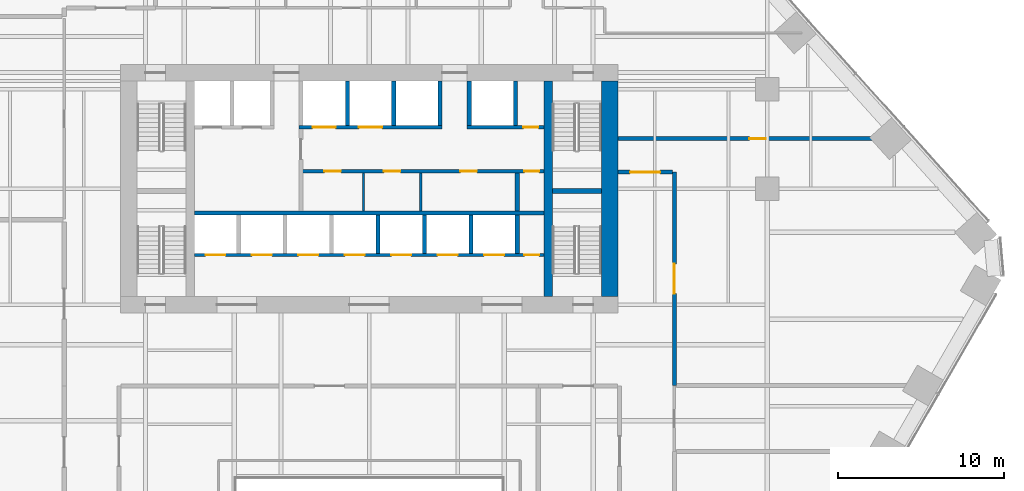
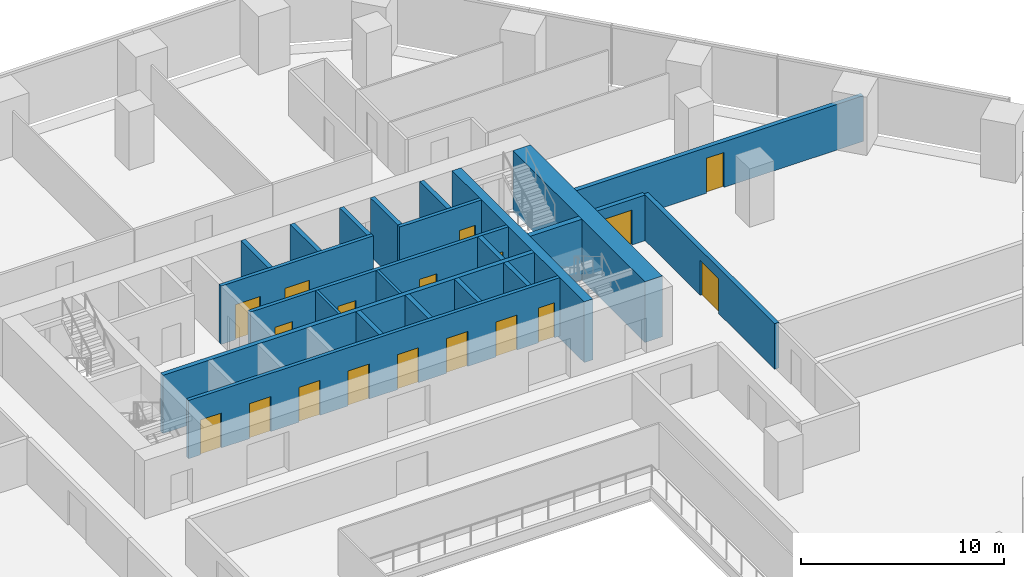
# One storey, part 15 of 20: 23 walls, 18 doors, 18 openings.
"""IFC4 building model written with IfcOpenShell, lengths in metres."""

from ifc_helpers import new_model, si_unit, direction, frame, frame_2d, origin, place, context, subcontext, project, spatial, rectangle, extrude, material, layer, layer_set, type_object, element, fill, save


model = new_model("IFC4")

# Units and contexts
model_context = context("Model", 3, precision=1e-05, world=origin(), true_north=direction((0.0, 1.0)))
body_context = subcontext(model_context, "Body", "Model", "MODEL_VIEW")
ifc_project = project(units=[si_unit("LENGTHUNIT", "METRE"), si_unit("AREAUNIT", "SQUARE_METRE"), si_unit("VOLUMEUNIT", "CUBIC_METRE"), si_unit("PLANEANGLEUNIT", "RADIAN"), si_unit("MASSUNIT", "GRAM", prefix="KILO")], contexts=[model_context])

# Site, building, storey
site_placement = place(None, origin())
site = spatial("IfcSite", under=ifc_project, at=site_placement, CompositionType="ELEMENT")
building_placement = place(site_placement, origin())
building = spatial("IfcBuilding", under=site, at=building_placement, Name="Isthmus Gate Tower", CompositionType="ELEMENT")
storey_placement = place(building_placement, frame((0.0, 0.0, 43.300048828125)))
storey = spatial("IfcBuildingStorey", under=building, at=storey_placement, Name="L08", CompositionType="ELEMENT", Elevation=43.300048828125)

# Wall, opening, door
ifc_material_1 = material(Name="Double-leaf acoustic stud wall, fire-rated", Category="gypsum")
ifc_layer_1 = layer(ifc_material_1, 0.25)
ifc_layer_set_1 = layer_set([ifc_layer_1], Name="ACOUSTIC WALL 250 60 MIN")
wall_type_1 = type_object("IfcWallType", Name="ACOUSTIC WALL 250 60 MIN", PredefinedType="PARTITIONING", material=ifc_layer_set_1)
wall_1_placement = place(storey_placement, frame((18.39990234375, 8.5, 0.0), z_axis=(0.0, 0.0, 1.0), x_axis=(0.0, -1.0, 0.0)))
wall_1 = element("IfcWall", 1, at=wall_1_placement, inside=storey, type_object=wall_type_1, Name="L08 Acoustic Wall 250 60 Min", PredefinedType="PARTITIONING", context=body_context, shape_type="SweptSolid", body=[
    extrude(rectangle(XDim=12.8720703125, YDim=0.25, at=frame_2d((6.43603515625, 0.0))), origin(), (0.0, 0.0, 1.0), 2.7412109375),
])
opening_1_placement = place(wall_1_placement, frame((5.535888671875, 0.0, 0.0)))
opening_1 = element("IfcOpeningElement", 2, at=opening_1_placement, cuts=wall_1, Name="Opening DT-T1A-09", PredefinedType="OPENING", context=body_context, shape_type="SweptSolid", body=[
    extrude(rectangle(XDim=1.800048828125, YDim=2.10009765625, at=frame_2d((0.89990234375, 1.050048828125))), frame((0.0, 0.135009765625, 0.0), z_axis=(0.0, -1.0, 0.0), x_axis=(1.0, 0.0, 0.0)), (0.0, 0.0, 1.0), 0.27001953125),
])
ifc_material_2 = material(Name="Solid core timber door leaf, fire-rated", Category="wood")
door_type_1 = type_object("IfcDoorType", Name="FIRE DOOR ACOUSTIC ROOM 1800 X 2100 60 MIN", OperationType="DOUBLE_DOOR_DOUBLE_SWING", PredefinedType="DOOR", material=ifc_material_2)
door_1_placement = place(opening_1_placement, origin())
door_1 = element("IfcDoor", 3, at=door_1_placement, inside=storey, type_object=door_type_1, Name="L08 room door", OperationType="DOUBLE_DOOR_DOUBLE_SWING", OverallHeight=2.10009765625, OverallWidth=1.800048828125, PredefinedType="DOOR", context=body_context, shape_type="SweptSolid", body=[
    extrude(rectangle(XDim=1.800048828125, YDim=2.10009765625, at=frame_2d((0.89990234375, 1.050048828125))), frame((0.0, 0.02490234375, 0.0), z_axis=(0.0, -1.0, 0.0), x_axis=(1.0, 0.0, 0.0)), (0.0, 0.0, 1.0), 0.050048828125),
])
fill(opening_1, door_1)

wall_2_placement = place(storey_placement, frame((15.0, 10.51708984375, 0.0), z_axis=(0.0, 0.0, 1.0), x_axis=(1.0, 0.0, 0.0)))
wall_2 = element("IfcWall", 4, at=wall_2_placement, inside=storey, type_object=wall_type_1, Name="L08 Acoustic Wall 250 60 Min", PredefinedType="PARTITIONING", context=body_context, shape_type="SweptSolid", body=[
    extrude(rectangle(XDim=16.842041015625, YDim=0.25, at=frame_2d((8.4208984375, 0.0))), origin(), (0.0, 0.0, 1.0), 2.7412109375),
])
opening_2_placement = place(wall_2_placement, frame((7.9208984375, 0.0, 0.0)))
opening_2 = element("IfcOpeningElement", 5, at=opening_2_placement, cuts=wall_2, Name="Opening DT-T1A-30", PredefinedType="OPENING", context=body_context, shape_type="SweptSolid", body=[
    extrude(rectangle(XDim=1.0, YDim=2.10009765625, at=frame_2d((0.5, 1.050048828125))), frame((0.0, 0.135009765625, 0.0), z_axis=(0.0, -1.0, 0.0), x_axis=(1.0, 0.0, 0.0)), (0.0, 0.0, 1.0), 0.27001953125),
])
ifc_material_3 = material(Name="Solid core timber door leaf, fire-rated", Category="wood")
door_type_2 = type_object("IfcDoorType", Name="FIRE DOOR ROOM 1000 X 2100 60 MIN", OperationType="SINGLE_SWING_LEFT", PredefinedType="DOOR", material=ifc_material_3)
door_2_placement = place(opening_2_placement, origin())
door_2 = element("IfcDoor", 6, at=door_2_placement, inside=storey, type_object=door_type_2, Name="L08 room door", OperationType="SINGLE_SWING_LEFT", OverallHeight=2.10009765625, OverallWidth=1.0, PredefinedType="DOOR", context=body_context, shape_type="SweptSolid", body=[
    extrude(rectangle(XDim=1.0, YDim=2.10009765625, at=frame_2d((0.5, 1.050048828125))), frame((0.0, 0.02490234375, 0.0), z_axis=(0.0, -1.0, 0.0), x_axis=(1.0, 0.0, 0.0)), (0.0, 0.0, 1.0), 0.050048828125),
])
fill(opening_2, door_2)

wall_3_placement = place(storey_placement, frame((15.0, 8.5, 0.0), z_axis=(0.0, 0.0, 1.0), x_axis=(1.0, 0.0, 0.0)))
wall_3 = element("IfcWall", 7, at=wall_3_placement, inside=storey, type_object=wall_type_1, Name="L08 Acoustic Wall 250 60 Min", PredefinedType="PARTITIONING", context=body_context, shape_type="SweptSolid", body=[
    extrude(rectangle(XDim=3.27490234375, YDim=0.25, at=frame_2d((1.637451171875, 0.0))), origin(), (0.0, 0.0, 1.0), 2.7412109375),
])
opening_3_placement = place(wall_3_placement, frame((0.737548828125, 0.0, 0.0)))
opening_3 = element("IfcOpeningElement", 8, at=opening_3_placement, cuts=wall_3, Name="Opening DT-T1A-10", PredefinedType="OPENING", context=body_context, shape_type="SweptSolid", body=[
    extrude(rectangle(XDim=1.800048828125, YDim=2.10009765625, at=frame_2d((0.89990234375, 1.050048828125))), frame((0.0, 0.135009765625, 0.0), z_axis=(0.0, -1.0, 0.0), x_axis=(1.0, 0.0, 0.0)), (0.0, 0.0, 1.0), 0.27001953125),
])
door_3_placement = place(opening_3_placement, origin())
door_3 = element("IfcDoor", 9, at=door_3_placement, inside=storey, type_object=door_type_1, Name="L08 room door", OperationType="DOUBLE_DOOR_DOUBLE_SWING", OverallHeight=2.10009765625, OverallWidth=1.800048828125, PredefinedType="DOOR", context=body_context, shape_type="SweptSolid", body=[
    extrude(rectangle(XDim=1.800048828125, YDim=2.10009765625, at=frame_2d((0.89990234375, 1.050048828125))), frame((0.0, 0.02490234375, 0.0), z_axis=(0.0, -1.0, 0.0), x_axis=(1.0, 0.0, 0.0)), (0.0, 0.0, 1.0), 0.050048828125),
])
fill(opening_3, door_3)

# Walls
ifc_material_4 = material(Name="Concrete f'c 70 MPa", Category="concrete")
ifc_layer_2 = layer(ifc_material_4, 0.5)
ifc_layer_set_2 = layer_set([ifc_layer_2], Name="RC CORE SPINE WALL 500 F'C 70")
wall_type_2 = type_object("IfcWallType", Name="RC CORE SPINE WALL 500 F'C 70", PredefinedType="SOLIDWALL", material=ifc_layer_set_2)
wall_4_placement = place(storey_placement, frame((10.800048828125, 1.0, -0.150146484375), z_axis=(0.0, 0.0, 1.0), x_axis=(0.0, 1.0, 0.0)))
element("IfcWall", 10, at=wall_4_placement, inside=storey, type_object=wall_type_2, Name="str-corewall-L08-SPE", PredefinedType="SOLIDWALL", context=body_context, shape_type="SweptSolid", body=[
    extrude(rectangle(XDim=13.0, YDim=0.5, at=frame_2d((6.5, 0.0))), origin(), (0.0, 0.0, 1.0), 3.650146484375),
])
ifc_material_5 = material(Name="Concrete f'c 70 MPa", Category="concrete")
ifc_layer_3 = layer(ifc_material_5, 1.0)
ifc_layer_set_3 = layer_set([ifc_layer_3], Name="RC CORE WALL 1000 F'C 70")
wall_type_3 = type_object("IfcWallType", Name="RC CORE WALL 1000 F'C 70", PredefinedType="SOLIDWALL", material=ifc_layer_set_3)
wall_5_placement = place(storey_placement, frame((14.5, 1.0, -0.150146484375), z_axis=(0.0, 0.0, 1.0), x_axis=(0.0, 1.0, 0.0)))
element("IfcWall", 11, at=wall_5_placement, inside=storey, type_object=wall_type_3, Name="str-corewall-L08-E", PredefinedType="SOLIDWALL", context=body_context, shape_type="SweptSolid", body=[
    extrude(rectangle(XDim=13.0, YDim=1.0, at=frame_2d((6.5, 0.0))), origin(), (0.0, 0.0, 1.0), 3.650146484375),
])
ifc_material_6 = material(Name="Gypsum board on steel studs, fire-rated", Category="steel")
ifc_layer_4 = layer(ifc_material_6, 0.14990234375)
ifc_layer_set_4 = layer_set([ifc_layer_4], Name="ROOM PARTITION 150 60 MIN")
wall_type_4 = type_object("IfcWallType", Name="ROOM PARTITION 150 60 MIN", PredefinedType="PARTITIONING", material=ifc_layer_set_4)
for number, where, z_axis, x_axis, name in (
    (12, (-0.35009765625, 6.14990234375, 0.0), (0.0, 0.0, 1.0), (0.0, 1.0, 0.0), "L08 ROOM PARTITION 150 60 MIN"),
    (13, (3.10009765625, 6.14990234375, 0.0), (0.0, 0.0, 1.0), (0.0, 1.0, 0.0), "L08 ROOM PARTITION 150 60 MIN"),
):
    element("IfcWall", number, at=place(storey_placement, frame(where, z_axis=z_axis, x_axis=x_axis)), inside=storey, type_object=wall_type_4, Name=name, PredefinedType="PARTITIONING", context=body_context, shape_type="SweptSolid", body=[
        extrude(rectangle(XDim=2.300048828125, YDim=0.14990234375, at=frame_2d((1.14990234375, 0.0))), origin(), (0.0, 0.0, 1.0), 3.5),
    ])

# Wall, openings, doors
ifc_material_7 = material(Name="Fire-rated blockwork masonry, 15 MPa", Category="masonry")
ifc_layer_5 = layer(ifc_material_7, 0.199951171875)
ifc_layer_set_5 = layer_set([ifc_layer_5], Name="SHAFT FRONT WALL 200 120 MIN")
wall_type_5 = type_object("IfcWallType", Name="SHAFT FRONT WALL 200 120 MIN", PredefinedType="PARTITIONING", material=ifc_layer_set_5)
wall_6_placement = place(storey_placement, frame((-10.550048828125, 3.5, 0.0), z_axis=(0.0, 0.0, 1.0), x_axis=(1.0, 0.0, 0.0)))
wall_6 = element("IfcWall", 14, at=wall_6_placement, inside=storey, type_object=wall_type_5, Name="L08 SHAFT FRONT WALL 200 120 MIN", PredefinedType="PARTITIONING", context=body_context, shape_type="SweptSolid", body=[
    extrude(rectangle(XDim=21.10009765625, YDim=0.199951171875, at=frame_2d((10.550048828125, 0.0))), origin(), (0.0, 0.0, 1.0), 3.5),
])
opening_4_placement = place(wall_6_placement, frame((0.675048828125, 0.0, 0.0)))
opening_4 = element("IfcOpeningElement", 15, at=opening_4_placement, cuts=wall_6, Name="Opening LD-LA1", PredefinedType="OPENING", context=body_context, shape_type="SweptSolid", body=[
    extrude(rectangle(XDim=1.199951171875, YDim=2.10009765625, at=frame_2d((0.60009765625, 1.050048828125))), frame((0.0, 0.10986328125, 0.0), z_axis=(0.0, -1.0, 0.0), x_axis=(1.0, 0.0, 0.0)), (0.0, 0.0, 1.0), 0.219970703125),
])
opening_5_placement = place(wall_6_placement, frame((3.47509765625, 0.0, 0.0)))
opening_5 = element("IfcOpeningElement", 16, at=opening_5_placement, cuts=wall_6, Name="Opening LD-LA2", PredefinedType="OPENING", context=body_context, shape_type="SweptSolid", body=[
    extrude(rectangle(XDim=1.199951171875, YDim=2.10009765625, at=frame_2d((0.60009765625, 1.050048828125))), frame((0.0, 0.10986328125, 0.0), z_axis=(0.0, -1.0, 0.0), x_axis=(1.0, 0.0, 0.0)), (0.0, 0.0, 1.0), 0.219970703125),
])
opening_6_placement = place(wall_6_placement, frame((6.27490234375, 0.0, 0.0)))
opening_6 = element("IfcOpeningElement", 17, at=opening_6_placement, cuts=wall_6, Name="Opening LD-LA3", PredefinedType="OPENING", context=body_context, shape_type="SweptSolid", body=[
    extrude(rectangle(XDim=1.199951171875, YDim=2.10009765625, at=frame_2d((0.60009765625, 1.050048828125))), frame((0.0, 0.10986328125, 0.0), z_axis=(0.0, -1.0, 0.0), x_axis=(1.0, 0.0, 0.0)), (0.0, 0.0, 1.0), 0.219970703125),
])
opening_7_placement = place(wall_6_placement, frame((9.074951171875, 0.0, 0.0)))
opening_7 = element("IfcOpeningElement", 18, at=opening_7_placement, cuts=wall_6, Name="Opening LD-LA4", PredefinedType="OPENING", context=body_context, shape_type="SweptSolid", body=[
    extrude(rectangle(XDim=1.199951171875, YDim=2.10009765625, at=frame_2d((0.60009765625, 1.050048828125))), frame((0.0, 0.10986328125, 0.0), z_axis=(0.0, -1.0, 0.0), x_axis=(1.0, 0.0, 0.0)), (0.0, 0.0, 1.0), 0.219970703125),
])
opening_8_placement = place(wall_6_placement, frame((11.875, 0.0, 0.0)))
opening_8 = element("IfcOpeningElement", 19, at=opening_8_placement, cuts=wall_6, Name="Opening LD-LA5", PredefinedType="OPENING", context=body_context, shape_type="SweptSolid", body=[
    extrude(rectangle(XDim=1.199951171875, YDim=2.10009765625, at=frame_2d((0.60009765625, 1.050048828125))), frame((0.0, 0.10986328125, 0.0), z_axis=(0.0, -1.0, 0.0), x_axis=(1.0, 0.0, 0.0)), (0.0, 0.0, 1.0), 0.219970703125),
])
opening_9_placement = place(wall_6_placement, frame((14.675048828125, 0.0, 0.0)))
opening_9 = element("IfcOpeningElement", 20, at=opening_9_placement, cuts=wall_6, Name="Opening LD-LA6", PredefinedType="OPENING", context=body_context, shape_type="SweptSolid", body=[
    extrude(rectangle(XDim=1.199951171875, YDim=2.10009765625, at=frame_2d((0.60009765625, 1.050048828125))), frame((0.0, 0.10986328125, 0.0), z_axis=(0.0, -1.0, 0.0), x_axis=(1.0, 0.0, 0.0)), (0.0, 0.0, 1.0), 0.219970703125),
])
opening_10_placement = place(wall_6_placement, frame((17.47509765625, 0.0, 0.0)))
opening_10 = element("IfcOpeningElement", 21, at=opening_10_placement, cuts=wall_6, Name="Opening LD-LA7", PredefinedType="OPENING", context=body_context, shape_type="SweptSolid", body=[
    extrude(rectangle(XDim=1.199951171875, YDim=2.10009765625, at=frame_2d((0.60009765625, 1.050048828125))), frame((0.0, 0.10986328125, 0.0), z_axis=(0.0, -1.0, 0.0), x_axis=(1.0, 0.0, 0.0)), (0.0, 0.0, 1.0), 0.219970703125),
])
opening_11_placement = place(wall_6_placement, frame((19.89990234375, 0.0, 0.0)))
opening_11 = element("IfcOpeningElement", 22, at=opening_11_placement, cuts=wall_6, Name="Opening DC-A05-02", PredefinedType="OPENING", context=body_context, shape_type="SweptSolid", body=[
    extrude(rectangle(XDim=0.89990234375, YDim=2.10009765625, at=frame_2d((0.449951171875, 1.050048828125))), frame((0.0, 0.10986328125, 0.0), z_axis=(0.0, -1.0, 0.0), x_axis=(1.0, 0.0, 0.0)), (0.0, 0.0, 1.0), 0.219970703125),
])
ifc_material_8 = material(Name="Stainless steel sliding leaf", Category="steel")
door_type_3 = type_object("IfcDoorType", Name="LIFT LANDING FIRE DOOR 1200 X 2100 90 MIN", OperationType="DOUBLE_DOOR_SLIDING", PredefinedType="DOOR", material=ifc_material_8)
door_4_placement = place(opening_4_placement, origin())
door_4 = element("IfcDoor", 23, at=door_4_placement, inside=storey, type_object=door_type_3, Name="Lift Landing Door LA1", OperationType="DOUBLE_DOOR_SLIDING", OverallHeight=2.10009765625, OverallWidth=1.199951171875, PredefinedType="DOOR", context=body_context, shape_type="SweptSolid", body=[
    extrude(rectangle(XDim=1.199951171875, YDim=2.10009765625, at=frame_2d((0.60009765625, 1.050048828125))), frame((0.0, 0.02490234375, 0.0), z_axis=(0.0, -1.0, 0.0), x_axis=(1.0, 0.0, 0.0)), (0.0, 0.0, 1.0), 0.050048828125),
])
fill(opening_4, door_4)
door_5_placement = place(opening_5_placement, origin())
door_5 = element("IfcDoor", 24, at=door_5_placement, inside=storey, type_object=door_type_3, Name="Lift Landing Door LA2", OperationType="DOUBLE_DOOR_SLIDING", OverallHeight=2.10009765625, OverallWidth=1.199951171875, PredefinedType="DOOR", context=body_context, shape_type="SweptSolid", body=[
    extrude(rectangle(XDim=1.199951171875, YDim=2.10009765625, at=frame_2d((0.60009765625, 1.050048828125))), frame((0.0, 0.02490234375, 0.0), z_axis=(0.0, -1.0, 0.0), x_axis=(1.0, 0.0, 0.0)), (0.0, 0.0, 1.0), 0.050048828125),
])
fill(opening_5, door_5)
door_6_placement = place(opening_6_placement, origin())
door_6 = element("IfcDoor", 25, at=door_6_placement, inside=storey, type_object=door_type_3, Name="Lift Landing Door LA3", OperationType="DOUBLE_DOOR_SLIDING", OverallHeight=2.10009765625, OverallWidth=1.199951171875, PredefinedType="DOOR", context=body_context, shape_type="SweptSolid", body=[
    extrude(rectangle(XDim=1.199951171875, YDim=2.10009765625, at=frame_2d((0.60009765625, 1.050048828125))), frame((0.0, 0.02490234375, 0.0), z_axis=(0.0, -1.0, 0.0), x_axis=(1.0, 0.0, 0.0)), (0.0, 0.0, 1.0), 0.050048828125),
])
fill(opening_6, door_6)
door_7_placement = place(opening_7_placement, origin())
door_7 = element("IfcDoor", 26, at=door_7_placement, inside=storey, type_object=door_type_3, Name="Lift Landing Door LA4", OperationType="DOUBLE_DOOR_SLIDING", OverallHeight=2.10009765625, OverallWidth=1.199951171875, PredefinedType="DOOR", context=body_context, shape_type="SweptSolid", body=[
    extrude(rectangle(XDim=1.199951171875, YDim=2.10009765625, at=frame_2d((0.60009765625, 1.050048828125))), frame((0.0, 0.02490234375, 0.0), z_axis=(0.0, -1.0, 0.0), x_axis=(1.0, 0.0, 0.0)), (0.0, 0.0, 1.0), 0.050048828125),
])
fill(opening_7, door_7)
door_8_placement = place(opening_8_placement, origin())
door_8 = element("IfcDoor", 27, at=door_8_placement, inside=storey, type_object=door_type_3, Name="Lift Landing Door LA5", OperationType="DOUBLE_DOOR_SLIDING", OverallHeight=2.10009765625, OverallWidth=1.199951171875, PredefinedType="DOOR", context=body_context, shape_type="SweptSolid", body=[
    extrude(rectangle(XDim=1.199951171875, YDim=2.10009765625, at=frame_2d((0.60009765625, 1.050048828125))), frame((0.0, 0.02490234375, 0.0), z_axis=(0.0, -1.0, 0.0), x_axis=(1.0, 0.0, 0.0)), (0.0, 0.0, 1.0), 0.050048828125),
])
fill(opening_8, door_8)
door_9_placement = place(opening_9_placement, origin())
door_9 = element("IfcDoor", 28, at=door_9_placement, inside=storey, type_object=door_type_3, Name="Lift Landing Door LA6", OperationType="DOUBLE_DOOR_SLIDING", OverallHeight=2.10009765625, OverallWidth=1.199951171875, PredefinedType="DOOR", context=body_context, shape_type="SweptSolid", body=[
    extrude(rectangle(XDim=1.199951171875, YDim=2.10009765625, at=frame_2d((0.60009765625, 1.050048828125))), frame((0.0, 0.02490234375, 0.0), z_axis=(0.0, -1.0, 0.0), x_axis=(1.0, 0.0, 0.0)), (0.0, 0.0, 1.0), 0.050048828125),
])
fill(opening_9, door_9)
door_10_placement = place(opening_10_placement, origin())
door_10 = element("IfcDoor", 29, at=door_10_placement, inside=storey, type_object=door_type_3, Name="Lift Landing Door LA7", OperationType="DOUBLE_DOOR_SLIDING", OverallHeight=2.10009765625, OverallWidth=1.199951171875, PredefinedType="DOOR", context=body_context, shape_type="SweptSolid", body=[
    extrude(rectangle(XDim=1.199951171875, YDim=2.10009765625, at=frame_2d((0.60009765625, 1.050048828125))), frame((0.0, 0.02490234375, 0.0), z_axis=(0.0, -1.0, 0.0), x_axis=(1.0, 0.0, 0.0)), (0.0, 0.0, 1.0), 0.050048828125),
])
fill(opening_10, door_10)
ifc_material_9 = material(Name="Steel door leaf, fire-rated", Category="steel")
door_type_4 = type_object("IfcDoorType", Name="RISER FIRE DOOR 900 X 2100 90 MIN", OperationType="SINGLE_SWING_LEFT", PredefinedType="DOOR", material=ifc_material_9)
door_11_placement = place(opening_11_placement, origin())
door_11 = element("IfcDoor", 30, at=door_11_placement, inside=storey, type_object=door_type_4, Name="Riser Door", OperationType="SINGLE_SWING_RIGHT", OverallHeight=2.10009765625, OverallWidth=0.89990234375, PredefinedType="DOOR", context=body_context, shape_type="SweptSolid", body=[
    extrude(rectangle(XDim=0.89990234375, YDim=2.10009765625, at=frame_2d((0.449951171875, 1.050048828125))), frame((0.0, 0.02490234375, 0.0), z_axis=(0.0, -1.0, 0.0), x_axis=(1.0, 0.0, 0.0)), (0.0, 0.0, 1.0), 0.050048828125),
])
fill(opening_11, door_11)

wall_7_placement = place(storey_placement, frame((-4.125, 8.550048828125, 0.0), z_axis=(0.0, 0.0, 1.0), x_axis=(1.0, 0.0, 0.0)))
wall_7 = element("IfcWall", 31, at=wall_7_placement, inside=storey, type_object=wall_type_5, Name="L08 SHAFT FRONT WALL 200 120 MIN", PredefinedType="PARTITIONING", context=body_context, shape_type="SweptSolid", body=[
    extrude(rectangle(XDim=14.675048828125, YDim=0.199951171875, at=frame_2d((7.33740234375, 0.0))), origin(), (0.0, 0.0, 1.0), 3.5),
])
opening_12_placement = place(wall_7_placement, frame((1.41259765625, 0.0, 0.0)))
opening_12 = element("IfcOpeningElement", 32, at=opening_12_placement, cuts=wall_7, Name="Opening DC-A05-03", PredefinedType="OPENING", context=body_context, shape_type="SweptSolid", body=[
    extrude(rectangle(XDim=1.0, YDim=2.10009765625, at=frame_2d((0.5, 1.050048828125))), frame((0.0, 0.10986328125, 0.0), z_axis=(0.0, -1.0, 0.0), x_axis=(1.0, 0.0, 0.0)), (0.0, 0.0, 1.0), 0.219970703125),
])
opening_13_placement = place(wall_7_placement, frame((5.0, 0.0, 0.0)))
opening_13 = element("IfcOpeningElement", 33, at=opening_13_placement, cuts=wall_7, Name="Opening DC-A05-04", PredefinedType="OPENING", context=body_context, shape_type="SweptSolid", body=[
    extrude(rectangle(XDim=1.0, YDim=2.10009765625, at=frame_2d((0.5, 1.050048828125))), frame((0.0, 0.10986328125, 0.0), z_axis=(0.0, -1.0, 0.0), x_axis=(1.0, 0.0, 0.0)), (0.0, 0.0, 1.0), 0.219970703125),
])
opening_14_placement = place(wall_7_placement, frame((9.612548828125, 0.0, 0.0)))
opening_14 = element("IfcOpeningElement", 34, at=opening_14_placement, cuts=wall_7, Name="Opening DC-A05-05", PredefinedType="OPENING", context=body_context, shape_type="SweptSolid", body=[
    extrude(rectangle(XDim=1.0, YDim=2.10009765625, at=frame_2d((0.5, 1.050048828125))), frame((0.0, 0.10986328125, 0.0), z_axis=(0.0, -1.0, 0.0), x_axis=(1.0, 0.0, 0.0)), (0.0, 0.0, 1.0), 0.219970703125),
])
opening_15_placement = place(wall_7_placement, frame((13.47509765625, 0.0, 0.0)))
opening_15 = element("IfcOpeningElement", 35, at=opening_15_placement, cuts=wall_7, Name="Opening DC-A05-06", PredefinedType="OPENING", context=body_context, shape_type="SweptSolid", body=[
    extrude(rectangle(XDim=0.89990234375, YDim=2.10009765625, at=frame_2d((0.449951171875, 1.050048828125))), frame((0.0, 0.10986328125, 0.0), z_axis=(0.0, -1.0, 0.0), x_axis=(1.0, 0.0, 0.0)), (0.0, 0.0, 1.0), 0.219970703125),
])
ifc_material_10 = material(Name="Steel door leaf, fire-rated", Category="steel")
door_type_5 = type_object("IfcDoorType", Name="FIRE DOOR 1000 X 2100 60 MIN", OperationType="SINGLE_SWING_LEFT", PredefinedType="DOOR", material=ifc_material_10)
door_12_placement = place(opening_12_placement, origin())
door_12 = element("IfcDoor", 36, at=door_12_placement, inside=storey, type_object=door_type_5, Name="WC Women Door", OperationType="SINGLE_SWING_LEFT", OverallHeight=2.10009765625, OverallWidth=1.0, PredefinedType="DOOR", context=body_context, shape_type="SweptSolid", body=[
    extrude(rectangle(XDim=1.0, YDim=2.10009765625, at=frame_2d((0.5, 1.050048828125))), frame((0.0, 0.02490234375, 0.0), z_axis=(0.0, -1.0, 0.0), x_axis=(1.0, 0.0, 0.0)), (0.0, 0.0, 1.0), 0.050048828125),
])
fill(opening_12, door_12)
door_13_placement = place(opening_13_placement, origin())
door_13 = element("IfcDoor", 37, at=door_13_placement, inside=storey, type_object=door_type_5, Name="WC Men Door", OperationType="SINGLE_SWING_RIGHT", OverallHeight=2.10009765625, OverallWidth=1.0, PredefinedType="DOOR", context=body_context, shape_type="SweptSolid", body=[
    extrude(rectangle(XDim=1.0, YDim=2.10009765625, at=frame_2d((0.5, 1.050048828125))), frame((0.0, 0.02490234375, 0.0), z_axis=(0.0, -1.0, 0.0), x_axis=(1.0, 0.0, 0.0)), (0.0, 0.0, 1.0), 0.050048828125),
])
fill(opening_13, door_13)
door_14_placement = place(opening_14_placement, origin())
door_14 = element("IfcDoor", 38, at=door_14_placement, inside=storey, type_object=door_type_5, Name="Accessible WC Door", OperationType="SINGLE_SWING_LEFT", OverallHeight=2.10009765625, OverallWidth=1.0, PredefinedType="DOOR", context=body_context, shape_type="SweptSolid", body=[
    extrude(rectangle(XDim=1.0, YDim=2.10009765625, at=frame_2d((0.5, 1.050048828125))), frame((0.0, 0.02490234375, 0.0), z_axis=(0.0, -1.0, 0.0), x_axis=(1.0, 0.0, 0.0)), (0.0, 0.0, 1.0), 0.050048828125),
])
fill(opening_14, door_14)
door_15_placement = place(opening_15_placement, origin())
door_15 = element("IfcDoor", 39, at=door_15_placement, inside=storey, type_object=door_type_4, Name="Riser Door", OperationType="SINGLE_SWING_RIGHT", OverallHeight=2.10009765625, OverallWidth=0.89990234375, PredefinedType="DOOR", context=body_context, shape_type="SweptSolid", body=[
    extrude(rectangle(XDim=0.89990234375, YDim=2.10009765625, at=frame_2d((0.449951171875, 1.050048828125))), frame((0.0, 0.02490234375, 0.0), z_axis=(0.0, -1.0, 0.0), x_axis=(1.0, 0.0, 0.0)), (0.0, 0.0, 1.0), 0.050048828125),
])
fill(opening_15, door_15)

wall_8_placement = place(storey_placement, frame((-4.25, 11.199951171875, 0.0), z_axis=(0.0, 0.0, 1.0), x_axis=(1.0, 0.0, 0.0)))
wall_8 = element("IfcWall", 40, at=wall_8_placement, inside=storey, type_object=wall_type_5, Name="L08 SHAFT FRONT WALL 200 120 MIN", PredefinedType="PARTITIONING", context=body_context, shape_type="SweptSolid", body=[
    extrude(rectangle(XDim=8.64990234375, YDim=0.199951171875, at=frame_2d((4.324951171875, 0.0))), origin(), (0.0, 0.0, 1.0), 3.5),
])
opening_16_placement = place(wall_8_placement, frame((0.824951171875, 0.0, 0.0)))
opening_16 = element("IfcOpeningElement", 41, at=opening_16_placement, cuts=wall_8, Name="Opening LD-LV1", PredefinedType="OPENING", context=body_context, shape_type="SweptSolid", body=[
    extrude(rectangle(XDim=1.39990234375, YDim=2.10009765625, at=frame_2d((0.699951171875, 1.050048828125))), frame((0.0, 0.10986328125, 0.0), z_axis=(0.0, -1.0, 0.0), x_axis=(1.0, 0.0, 0.0)), (0.0, 0.0, 1.0), 0.219970703125),
])
opening_17_placement = place(wall_8_placement, frame((3.625, 0.0, 0.0)))
opening_17 = element("IfcOpeningElement", 42, at=opening_17_placement, cuts=wall_8, Name="Opening LD-LV2", PredefinedType="OPENING", context=body_context, shape_type="SweptSolid", body=[
    extrude(rectangle(XDim=1.39990234375, YDim=2.10009765625, at=frame_2d((0.699951171875, 1.050048828125))), frame((0.0, 0.10986328125, 0.0), z_axis=(0.0, -1.0, 0.0), x_axis=(1.0, 0.0, 0.0)), (0.0, 0.0, 1.0), 0.219970703125),
])
ifc_material_11 = material(Name="Stainless steel sliding leaf", Category="steel")
door_type_6 = type_object("IfcDoorType", Name="LIFT LANDING FIRE DOOR 1400 X 2100 90 MIN", OperationType="DOUBLE_DOOR_SLIDING", PredefinedType="DOOR", material=ifc_material_11)
door_16_placement = place(opening_16_placement, origin())
door_16 = element("IfcDoor", 43, at=door_16_placement, inside=storey, type_object=door_type_6, Name="Lift Landing Door LV1", OperationType="DOUBLE_DOOR_SLIDING", OverallHeight=2.10009765625, OverallWidth=1.39990234375, PredefinedType="DOOR", context=body_context, shape_type="SweptSolid", body=[
    extrude(rectangle(XDim=1.39990234375, YDim=2.10009765625, at=frame_2d((0.699951171875, 1.050048828125))), frame((0.0, 0.02490234375, 0.0), z_axis=(0.0, -1.0, 0.0), x_axis=(1.0, 0.0, 0.0)), (0.0, 0.0, 1.0), 0.050048828125),
])
fill(opening_16, door_16)
door_17_placement = place(opening_17_placement, origin())
door_17 = element("IfcDoor", 44, at=door_17_placement, inside=storey, type_object=door_type_6, Name="Lift Landing Door LV2", OperationType="DOUBLE_DOOR_SLIDING", OverallHeight=2.10009765625, OverallWidth=1.39990234375, PredefinedType="DOOR", context=body_context, shape_type="SweptSolid", body=[
    extrude(rectangle(XDim=1.39990234375, YDim=2.10009765625, at=frame_2d((0.699951171875, 1.050048828125))), frame((0.0, 0.02490234375, 0.0), z_axis=(0.0, -1.0, 0.0), x_axis=(1.0, 0.0, 0.0)), (0.0, 0.0, 1.0), 0.050048828125),
])
fill(opening_17, door_17)

# Wall, opening, door
wall_9_placement = place(storey_placement, frame((5.89990234375, 11.199951171875, 0.0), z_axis=(0.0, 0.0, 1.0), x_axis=(1.0, 0.0, 0.0)))
wall_9 = element("IfcWall", 45, at=wall_9_placement, inside=storey, type_object=wall_type_5, Name="L08 SHAFT FRONT WALL 200 120 MIN", PredefinedType="PARTITIONING", context=body_context, shape_type="SweptSolid", body=[
    extrude(rectangle(XDim=4.650146484375, YDim=0.199951171875, at=frame_2d((2.3251953125, 0.0))), origin(), (0.0, 0.0, 1.0), 3.5),
])
opening_18_placement = place(wall_9_placement, frame((3.39990234375, 0.0, 0.0)))
opening_18 = element("IfcOpeningElement", 46, at=opening_18_placement, cuts=wall_9, Name="Opening DC-A05-07", PredefinedType="OPENING", context=body_context, shape_type="SweptSolid", body=[
    extrude(rectangle(XDim=0.89990234375, YDim=2.10009765625, at=frame_2d((0.449951171875, 1.050048828125))), frame((0.0, 0.10986328125, 0.0), z_axis=(0.0, -1.0, 0.0), x_axis=(1.0, 0.0, 0.0)), (0.0, 0.0, 1.0), 0.219970703125),
])
door_18_placement = place(opening_18_placement, origin())
door_18 = element("IfcDoor", 47, at=door_18_placement, inside=storey, type_object=door_type_4, Name="Riser Door", OperationType="SINGLE_SWING_LEFT", OverallHeight=2.10009765625, OverallWidth=0.89990234375, PredefinedType="DOOR", context=body_context, shape_type="SweptSolid", body=[
    extrude(rectangle(XDim=0.89990234375, YDim=2.10009765625, at=frame_2d((0.449951171875, 1.050048828125))), frame((0.0, 0.02490234375, 0.0), z_axis=(0.0, -1.0, 0.0), x_axis=(1.0, 0.0, 0.0)), (0.0, 0.0, 1.0), 0.050048828125),
])
fill(opening_18, door_18)

# Walls
ifc_material_12 = material(Name="Fire-rated blockwork masonry, 15 MPa", Category="masonry")
ifc_layer_6 = layer(ifc_material_12, 0.25)
ifc_layer_set_6 = layer_set([ifc_layer_6], Name="SHAFT WALL 250 120 MIN")
wall_type_6 = type_object("IfcWallType", Name="SHAFT WALL 250 120 MIN", PredefinedType="PARTITIONING", material=ifc_layer_set_6)
wall_10_placement = place(storey_placement, frame((-10.550048828125, 6.02490234375, 0.0), z_axis=(0.0, 0.0, 1.0), x_axis=(1.0, 0.0, 0.0)))
element("IfcWall", 48, at=wall_10_placement, inside=storey, type_object=wall_type_6, Name="L08 SHAFT WALL 250 120 MIN", PredefinedType="PARTITIONING", context=body_context, shape_type="SweptSolid", body=[
    extrude(rectangle(XDim=21.10009765625, YDim=0.25, at=frame_2d((10.550048828125, 0.0))), origin(), (0.0, 0.0, 1.0), 3.5),
])
for number, where, z_axis, x_axis, name in (
    (49, (0.52490234375, 3.60009765625, 0.0), (0.0, 0.0, 1.0), (0.0, 1.0, 0.0), "L08 SHAFT WALL 250 120 MIN"),
    (50, (3.324951171875, 3.60009765625, 0.0), (0.0, 0.0, 1.0), (0.0, 1.0, 0.0), "L08 SHAFT WALL 250 120 MIN"),
    (51, (6.125, 3.60009765625, 0.0), (0.0, 0.0, 1.0), (0.0, 1.0, 0.0), "L08 SHAFT WALL 250 120 MIN"),
    (52, (8.925048828125, 3.60009765625, 0.0), (0.0, 0.0, 1.0), (0.0, 1.0, 0.0), "L08 SHAFT WALL 250 120 MIN"),
):
    element("IfcWall", number, at=place(storey_placement, frame(where, z_axis=z_axis, x_axis=x_axis)), inside=storey, type_object=wall_type_6, Name=name, PredefinedType="PARTITIONING", context=body_context, shape_type="SweptSolid", body=[
        extrude(rectangle(XDim=2.2998046875, YDim=0.25, at=frame_2d((1.14990234375, 0.0))), origin(), (0.0, 0.0, 1.0), 3.5),
    ])
wall_11_placement = place(storey_placement, frame((8.925048828125, 6.14990234375, 0.0), z_axis=(0.0, 0.0, 1.0), x_axis=(0.0, 1.0, 0.0)))
element("IfcWall", 53, at=wall_11_placement, inside=storey, type_object=wall_type_6, Name="L08 SHAFT WALL 250 120 MIN", PredefinedType="PARTITIONING", context=body_context, shape_type="SweptSolid", body=[
    extrude(rectangle(XDim=2.300048828125, YDim=0.25, at=frame_2d((1.14990234375, 0.0))), origin(), (0.0, 0.0, 1.0), 3.5),
])
for number, where, z_axis, x_axis, name in (
    (54, (-1.324951171875, 11.300048828125, 0.0), (0.0, 0.0, 1.0), (0.0, 1.0, 0.0), "L08 SHAFT WALL 250 120 MIN"),
    (55, (1.47509765625, 11.300048828125, 0.0), (0.0, 0.0, 1.0), (0.0, 1.0, 0.0), "L08 SHAFT WALL 250 120 MIN"),
    (56, (4.27490234375, 11.300048828125, 0.0), (0.0, 0.0, 1.0), (0.0, 1.0, 0.0), "L08 SHAFT WALL 250 120 MIN"),
    (57, (6.02490234375, 11.300048828125, 0.0), (0.0, 0.0, 1.0), (0.0, 1.0, 0.0), "L08 SHAFT WALL 250 120 MIN"),
    (58, (8.824951171875, 11.300048828125, 0.0), (0.0, 0.0, 1.0), (0.0, 1.0, 0.0), "L08 SHAFT WALL 250 120 MIN"),
):
    element("IfcWall", number, at=place(storey_placement, frame(where, z_axis=z_axis, x_axis=x_axis)), inside=storey, type_object=wall_type_6, Name=name, PredefinedType="PARTITIONING", context=body_context, shape_type="SweptSolid", body=[
        extrude(rectangle(XDim=2.699951171875, YDim=0.25, at=frame_2d((1.35009765625, 0.0))), origin(), (0.0, 0.0, 1.0), 3.5),
    ])
ifc_material_13 = material(Name="Concrete f'c 40 MPa", Category="concrete")
ifc_layer_7 = layer(ifc_material_13, 0.300048828125)
ifc_layer_set_7 = layer_set([ifc_layer_7], Name="STAIR ENCLOSURE WALL 300 180 MIN")
wall_type_7 = type_object("IfcWallType", Name="STAIR ENCLOSURE WALL 300 180 MIN", PredefinedType="SOLIDWALL", material=ifc_layer_set_7)
wall_12_placement = place(storey_placement, frame((11.050048828125, 7.35009765625, -0.150146484375), z_axis=(0.0, 0.0, 1.0), x_axis=(1.0, 0.0, 0.0)))
element("IfcWall", 59, at=wall_12_placement, inside=storey, type_object=wall_type_7, Name="L08 STAIR ENCLOSURE WALL 300 180 MIN", PredefinedType="SOLIDWALL", context=body_context, shape_type="SweptSolid", body=[
    extrude(rectangle(XDim=2.949951171875, YDim=0.300048828125, at=frame_2d((1.47509765625, 0.0))), origin(), (0.0, 0.0, 1.0), 3.650146484375),
])

save(model, "model.ifc")
